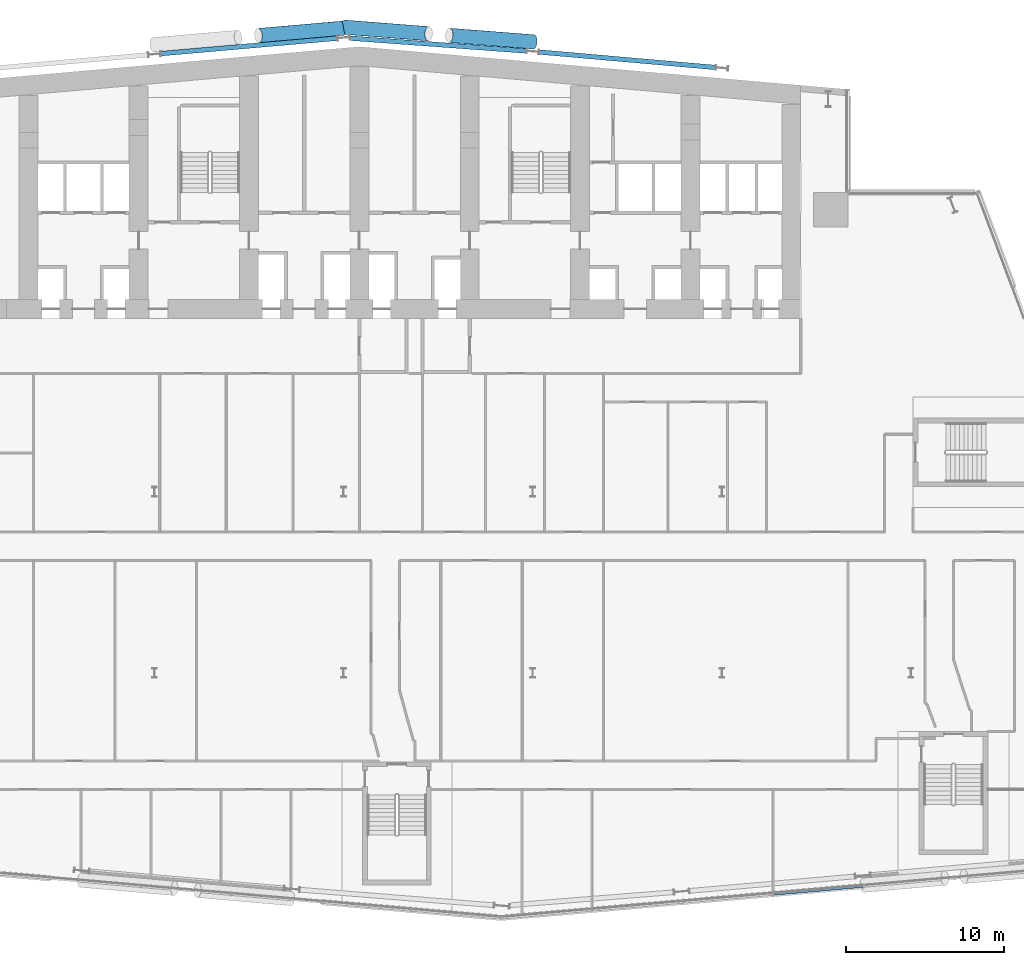
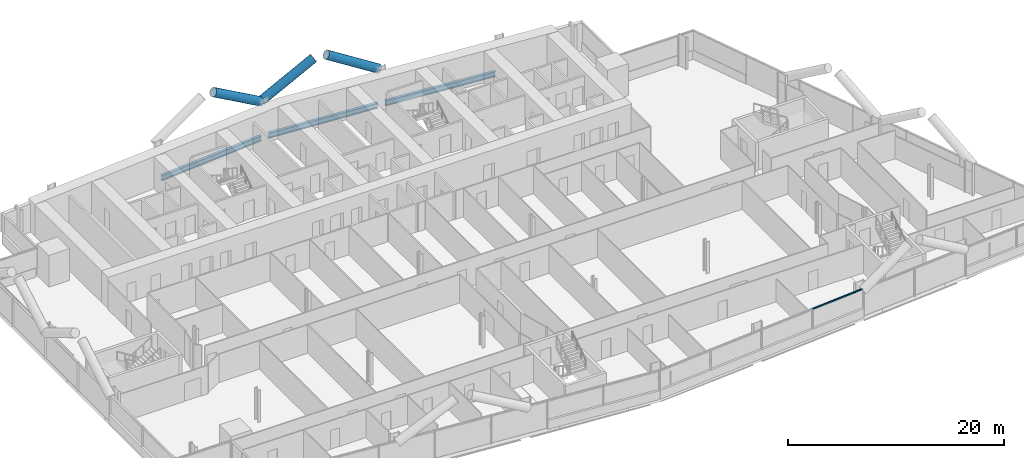
# One storey, part 8 of 28: 4 members, 3 beams, 1 element without a shape of its own.
"""IFC4 building model written with IfcOpenShell, lengths in metres."""

from ifc_helpers import new_model, si_unit, direction, frame, origin, origin_2d, place, context, subcontext, project, spatial, rectangle, hollow_circle, i_section, extrude, material, material_profile, profile_set, type_object, element, aggregate, save


model = new_model("IFC4")

# Units and contexts
model_context = context("Model", 3, precision=1e-05, world=origin(), true_north=direction((0.0, 1.0)))
body_context = subcontext(model_context, "Body", "Model", "MODEL_VIEW")
ifc_project = project(units=[si_unit("LENGTHUNIT", "METRE"), si_unit("AREAUNIT", "SQUARE_METRE"), si_unit("VOLUMEUNIT", "CUBIC_METRE"), si_unit("PLANEANGLEUNIT", "RADIAN"), si_unit("MASSUNIT", "GRAM", prefix="KILO")], contexts=[model_context])

# Site, building, storey
site_placement = place(None, origin())
site = spatial("IfcSite", under=ifc_project, at=site_placement, CompositionType="ELEMENT")
building_placement = place(site_placement, origin())
building = spatial("IfcBuilding", under=site, at=building_placement, Name="Wharfspan Tower", CompositionType="ELEMENT")
storey_placement = place(building_placement, frame((0.0, 0.0, 59.5)))
storey = spatial("IfcBuildingStorey", under=building, at=storey_placement, Name="L11", CompositionType="ELEMENT", Elevation=59.5)

# Beams
ifc_material_1 = material(Name="Steel S355J2", Category="steel")
ifc_material_profile_1 = material_profile(ifc_material_1, i_section(OverallWidth=0.300049, OverallDepth=0.600098, WebThickness=0.015381, FlangeThickness=0.030029, FilletRadius=0.0271, at=origin_2d()))
ifc_profile_set_1 = profile_set([ifc_material_profile_1], Name="Steel S355J2")
beam_type = type_object("IfcBeamType", Name="Edge beam HEB 600", PredefinedType="SPANDREL", material=ifc_profile_set_1)
for number, where, z_axis, x_axis, name in (
    (1, (59.598633, 49.919922, -0.699951), (-0.996194, 0.087165, 0.0), (-0.087165, -0.996194, 0.0), "Edge beam N2 L11 R.5 to R.4"),
    (2, (35.598633, 51.774414, -0.699951), (-0.996196, -0.087143, 0.0), (0.087143, -0.996196, 0.0), "Edge beam N1 L11 R.3 to R.2"),
):
    element("IfcBeam", number, at=place(storey_placement, frame(where, z_axis=z_axis, x_axis=x_axis)), inside=storey, type_object=beam_type, Name=name, PredefinedType="SPANDREL", context=body_context, shape_type="SweptSolid", body=[
        extrude(i_section(OverallWidth=0.300049, OverallDepth=0.600098, WebThickness=0.015381, FlangeThickness=0.030029, FilletRadius=0.0271, at=origin_2d()), origin(), (0.0, 0.0, 1.0), 11.23999),
    ])
beam_placement = place(storey_placement, frame((36.407227, 51.779785, -0.699951), z_axis=(0.997354, -0.072694, 0.0), x_axis=(0.072694, 0.997354, 0.0)))
element("IfcBeam", 3, at=beam_placement, inside=storey, type_object=beam_type, Name="Edge beam L11 R.3 to R.4", PredefinedType="SPANDREL", context=body_context, shape_type="SweptSolid", body=[
    extrude(i_section(OverallWidth=0.300049, OverallDepth=0.600098, WebThickness=0.015381, FlangeThickness=0.030029, FilletRadius=0.0271, at=origin_2d()), origin(), (0.0, 0.0, 1.0), 11.220703),
])

# Members
ifc_material_2 = material(Name="Steel S460NH", Category="steel")
ifc_material_profile_2 = material_profile(ifc_material_2, hollow_circle(Radius=0.457031, WallThickness=0.040039, at=origin_2d()))
ifc_profile_set_2 = profile_set([ifc_material_profile_2], Name="Steel S460NH")
member_type_1 = type_object("IfcMemberType", Name="Mega brace CHS 914x40", PredefinedType="BRACE", material=ifc_profile_set_2)
member_1_placement = place(storey_placement, frame((35.947266, 52.412842, 2.899902), z_axis=(-0.855094, -0.074809, 0.513048), x_axis=(0.087154, -0.996195, 1e-06)))
element("IfcMember", 4, at=member_1_placement, inside=storey, type_object=member_type_1, Name="Mega brace N7 L12 part 3", PredefinedType="BRACE", context=body_context, shape_type="SweptSolid", body=[
    extrude(hollow_circle(Radius=0.457031, WallThickness=0.040039, at=origin_2d()), origin(), (0.0, 0.0, 1.0), 6.256104),
])
for number, where, z_axis, x_axis, name in (
    (5, (36.048584, 52.476318, 2.899902), (0.85551, -0.066472, 0.513501), (0.077467, 0.996995, -3e-06), "Mega brace N8 L12 part 1"),
    (6, (48.044434, 51.544434, 2.899902), (-0.85551, 0.066472, 0.513501), (-0.077467, -0.996995, -3e-06), "Mega brace N8 L12 part 3"),
):
    element("IfcMember", number, at=place(storey_placement, frame(where, z_axis=z_axis, x_axis=x_axis)), inside=storey, type_object=member_type_1, Name=name, PredefinedType="BRACE", context=body_context, shape_type="SweptSolid", body=[
        extrude(hollow_circle(Radius=0.457031, WallThickness=0.040039, at=origin_2d()), origin(), (0.0, 0.0, 1.0), 6.251221),
    ])

# Curtain wall, member
ifc_material_3 = material(Name="Aluminium 6063-T6", Category="aluminium")
curtain_wall_type = type_object("IfcCurtainWallType", Name="CURTAIN WALL FACETED FRONT", PredefinedType="NOTDEFINED", material=ifc_material_3)
curtain_wall_placement = place(storey_placement, origin())
curtain_wall = element("IfcCurtainWall", 7, at=curtain_wall_placement, inside=storey, type_object=curtain_wall_type, Name="Curtain wall S2", PredefinedType="NOTDEFINED")
ifc_material_profile_3 = material_profile(ifc_material_3, rectangle(XDim=0.159912, YDim=0.080078, at=origin_2d()))
ifc_profile_set_3 = profile_set([ifc_material_profile_3], Name="Aluminium 6063-T6")
member_type_2 = type_object("IfcMemberType", Name="TRANSOM FACETED FRONT 80x160", PredefinedType="USERDEFINED", material=ifc_profile_set_3)
member_2_placement = place(storey_placement, frame((63.279785, -2.512695, 3.159912), z_axis=(0.996195, 0.087148, 0.0), x_axis=(-0.087148, 0.996195, 0.0)))
member_2 = element("IfcMember", 8, at=member_2_placement, type_object=member_type_2, Name="Curtain wall S2 transom 4", ObjectType="TRANSOM", PredefinedType="USERDEFINED", context=body_context, shape_type="SweptSolid", body=[
    extrude(rectangle(XDim=0.159912, YDim=0.080078, at=origin_2d()), origin(), (0.0, 0.0, 1.0), 5.712158),
])
aggregate(curtain_wall, [member_2])

save(model, "model.ifc")
